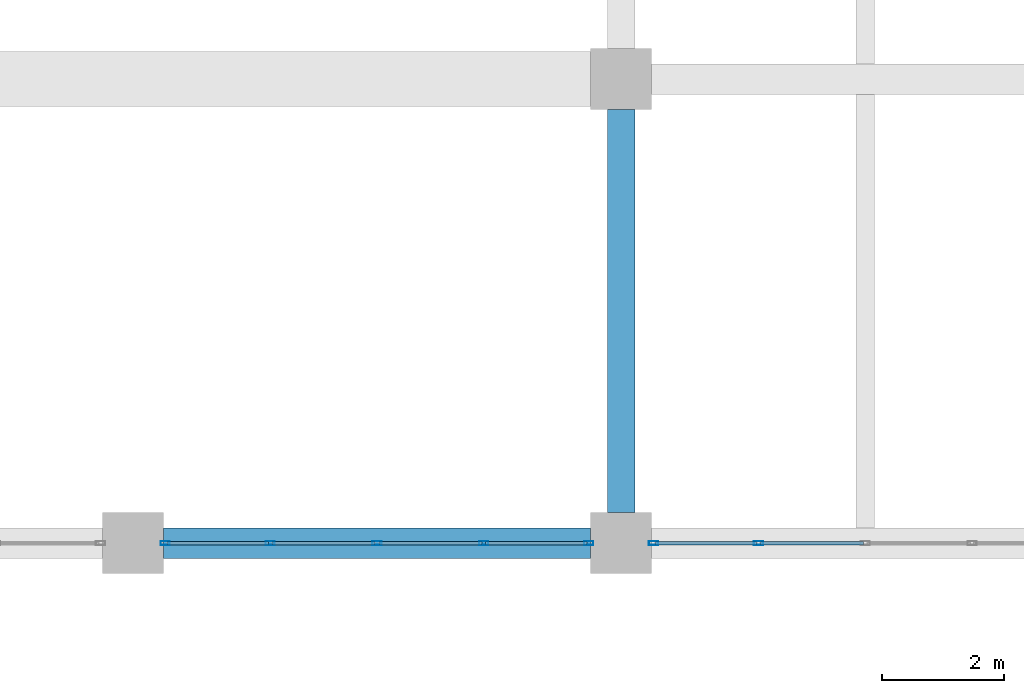
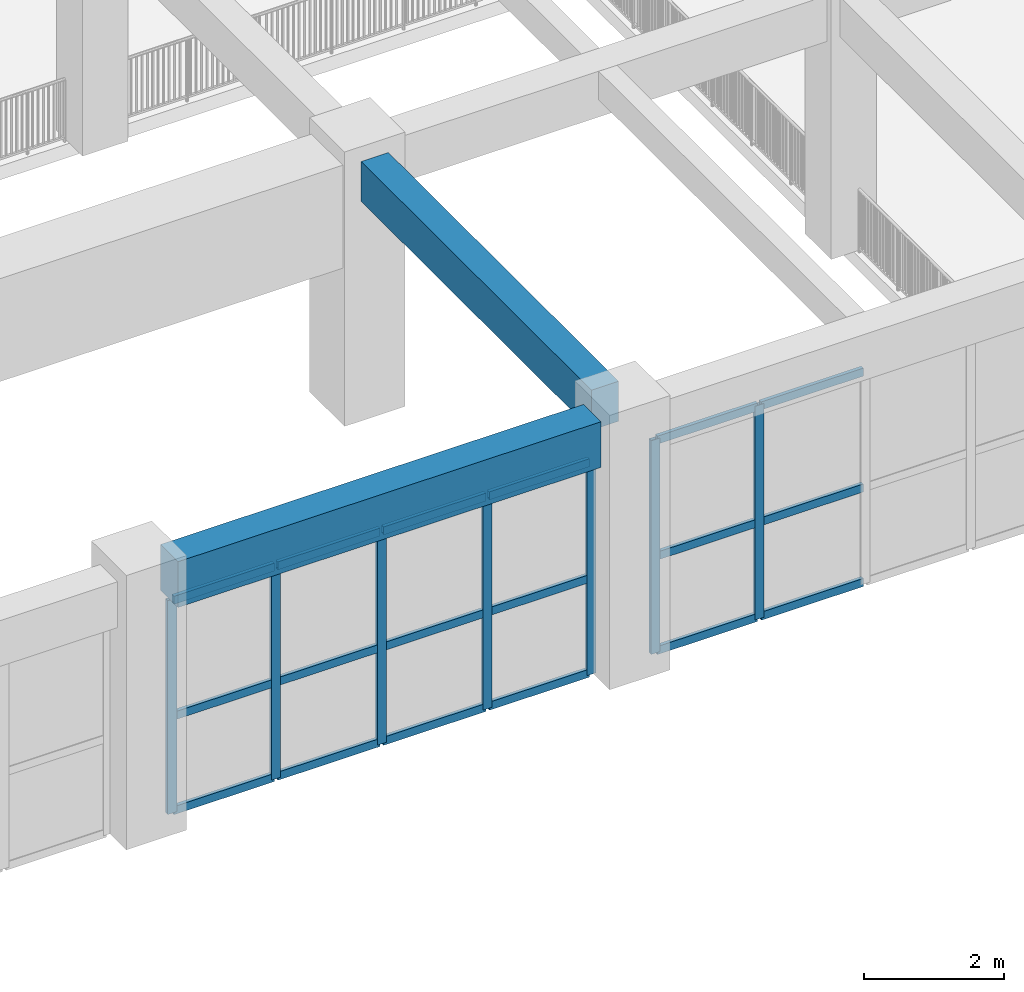
# One storey, part 22 of 101: 25 members, 2 beams, 2 elements without a shape of their own.
"""IFC4 building model written with IfcOpenShell, lengths in metres."""

from ifc_helpers import new_model, si_unit, direction, frame, origin, origin_2d, place, context, subcontext, project, spatial, rectangle, hollow_rectangle, extrude, material, material_profile, profile_set, type_object, element, aggregate, save


model = new_model("IFC4")

# Units and contexts
model_context = context("Model", 3, precision=1e-05, world=origin(), true_north=direction((0.0, 1.0)))
body_context = subcontext(model_context, "Body", "Model", "MODEL_VIEW")
ifc_project = project(units=[si_unit("LENGTHUNIT", "METRE"), si_unit("AREAUNIT", "SQUARE_METRE"), si_unit("VOLUMEUNIT", "CUBIC_METRE"), si_unit("PLANEANGLEUNIT", "RADIAN"), si_unit("MASSUNIT", "GRAM", prefix="KILO")], contexts=[model_context])

# Site, building, storey
site_placement = place(None, origin())
site = spatial("IfcSite", under=ifc_project, at=site_placement, CompositionType="ELEMENT")
building_placement = place(site_placement, origin())
building = spatial("IfcBuilding", under=site, at=building_placement, Name="Zantavel Square City Hall", CompositionType="ELEMENT")
storey_placement = place(building_placement, frame((0.0, 0.0, 5.39990234375)))
storey = spatial("IfcBuildingStorey", under=building, at=storey_placement, Name="L02", CompositionType="ELEMENT", Elevation=5.39990234375)

# Curtain wall, members
ifc_material_1 = material(Name="Anodised aluminium 6063-T6", Category="aluminium")
curtain_wall_type = type_object("IfcCurtainWallType", Name="Curtain Wall TRV1 7000x3740", PredefinedType="USERDEFINED", material=ifc_material_1)
curtain_wall_1_placement = place(storey_placement, origin())
curtain_wall_1 = element("IfcCurtainWall", 1, at=curtain_wall_1_placement, inside=storey, type_object=curtain_wall_type, Name="L02 Glazed Curtain Wall CW-L02-046", ObjectType="GLAZED CURTAIN WALL", PredefinedType="USERDEFINED")
ifc_material_profile_1 = material_profile(ifc_material_1, hollow_rectangle(XDim=0.06494140625, YDim=0.14990234375, WallThickness=0.00390625, at=origin_2d()), Name="ALU 65x150x4")
ifc_profile_set_1 = profile_set([ifc_material_profile_1], Name="Anodised aluminium 6063-T6")
member_type_1 = type_object("IfcMemberType", Name="CW Mullion ALU 65x150x4", PredefinedType="MULLION", material=ifc_profile_set_1)
member_1_placement = place(storey_placement, frame((90.25, 30.39990234375, 0.0), z_axis=(0.0, 0.0, 1.0), x_axis=(0.0, -1.0, 0.0)))
member_1 = element("IfcMember", 2, at=member_1_placement, type_object=member_type_1, Name="CW-046 mullion 4", PredefinedType="MULLION", context=body_context, shape_type="SweptSolid", body=[
    extrude(hollow_rectangle(XDim=0.06494140625, YDim=0.14990234375, WallThickness=0.00390625, at=origin_2d()), origin(), (0.0, 0.0, 1.0), 3.739990234375),
])
member_2_placement = place(storey_placement, frame((88.530029296875, 30.39990234375, 0.0), z_axis=(0.0, 0.0, 1.0), x_axis=(0.0, -1.0, 0.0)))
member_2 = element("IfcMember", 3, at=member_2_placement, type_object=member_type_1, Name="CW-046 mullion 5", PredefinedType="MULLION", context=body_context, shape_type="SweptSolid", body=[
    extrude(hollow_rectangle(XDim=0.06494140625, YDim=0.14990234375, WallThickness=0.00390625, at=origin_2d()), origin(), (0.0, 0.0, 1.0), 3.739990234375),
])

curtain_wall_2_placement = place(storey_placement, origin())
curtain_wall_2 = element("IfcCurtainWall", 4, at=curtain_wall_2_placement, inside=storey, type_object=curtain_wall_type, Name="L02 Glazed Curtain Wall CW-L02-047", ObjectType="GLAZED CURTAIN WALL", PredefinedType="USERDEFINED")
member_3_placement = place(storey_placement, frame((87.469970703125, 30.39990234375, 0.0), z_axis=(0.0, 0.0, 1.0), x_axis=(0.0, -1.0, 0.0)))
member_3 = element("IfcMember", 5, at=member_3_placement, type_object=member_type_1, Name="CW-047 mullion 1", PredefinedType="MULLION", context=body_context, shape_type="SweptSolid", body=[
    extrude(hollow_rectangle(XDim=0.06494140625, YDim=0.14990234375, WallThickness=0.00390625, at=origin_2d()), origin(), (0.0, 0.0, 1.0), 3.739990234375),
])
member_4_placement = place(storey_placement, frame((85.75, 30.39990234375, 0.0), z_axis=(0.0, 0.0, 1.0), x_axis=(0.0, -1.0, 0.0)))
member_4 = element("IfcMember", 6, at=member_4_placement, type_object=member_type_1, Name="CW-047 mullion 2", PredefinedType="MULLION", context=body_context, shape_type="SweptSolid", body=[
    extrude(hollow_rectangle(XDim=0.06494140625, YDim=0.14990234375, WallThickness=0.00390625, at=origin_2d()), origin(), (0.0, 0.0, 1.0), 3.739990234375),
])
member_5_placement = place(storey_placement, frame((84.0, 30.39990234375, 0.0), z_axis=(0.0, 0.0, 1.0), x_axis=(0.0, -1.0, 0.0)))
member_5 = element("IfcMember", 7, at=member_5_placement, type_object=member_type_1, Name="CW-047 mullion 3", PredefinedType="MULLION", context=body_context, shape_type="SweptSolid", body=[
    extrude(hollow_rectangle(XDim=0.06494140625, YDim=0.14990234375, WallThickness=0.00390625, at=origin_2d()), origin(), (0.0, 0.0, 1.0), 3.739990234375),
])
member_6_placement = place(storey_placement, frame((82.25, 30.39990234375, 0.0), z_axis=(0.0, 0.0, 1.0), x_axis=(0.0, -1.0, 0.0)))
member_6 = element("IfcMember", 8, at=member_6_placement, type_object=member_type_1, Name="CW-047 mullion 4", PredefinedType="MULLION", context=body_context, shape_type="SweptSolid", body=[
    extrude(hollow_rectangle(XDim=0.06494140625, YDim=0.14990234375, WallThickness=0.00390625, at=origin_2d()), origin(), (0.0, 0.0, 1.0), 3.739990234375),
])
member_7_placement = place(storey_placement, frame((80.530029296875, 30.39990234375, 0.0), z_axis=(0.0, 0.0, 1.0), x_axis=(0.0, -1.0, 0.0)))
member_7 = element("IfcMember", 9, at=member_7_placement, type_object=member_type_1, Name="CW-047 mullion 5", PredefinedType="MULLION", context=body_context, shape_type="SweptSolid", body=[
    extrude(hollow_rectangle(XDim=0.06494140625, YDim=0.14990234375, WallThickness=0.00390625, at=origin_2d()), origin(), (0.0, 0.0, 1.0), 3.739990234375),
])

# Member
ifc_material_profile_2 = material_profile(ifc_material_1, hollow_rectangle(XDim=0.06005859375, YDim=0.139892578125, WallThickness=0.00390625, at=origin_2d()), Name="ALU 60x140x4")
ifc_profile_set_2 = profile_set([ifc_material_profile_2], Name="Anodised aluminium 6063-T6")
member_type_2 = type_object("IfcMemberType", Name="CW Transom ALU 60x140x4", PredefinedType="USERDEFINED", material=ifc_profile_set_2)
member_8_placement = place(storey_placement, frame((91.969970703125, 30.39990234375, 0.030029296875), z_axis=(-1.0, 0.0, 0.0), x_axis=(0.0, -1.0, 0.0)))
member_8 = element("IfcMember", 10, at=member_8_placement, type_object=member_type_2, Name="CW-046 transom 3.1", ObjectType="TRANSOM", PredefinedType="USERDEFINED", context=body_context, shape_type="SweptSolid", body=[
    extrude(hollow_rectangle(XDim=0.06005859375, YDim=0.139892578125, WallThickness=0.00390625, at=origin_2d()), origin(), (0.0, 0.0, 1.0), 1.68994140625),
])

member_9_placement = place(storey_placement, frame((91.969970703125, 30.39990234375, 1.68310546875), z_axis=(-1.0, 0.0, 0.0), x_axis=(0.0, -1.0, 0.0)))
member_9 = element("IfcMember", 11, at=member_9_placement, type_object=member_type_2, Name="CW-046 transom 3.2", ObjectType="TRANSOM", PredefinedType="USERDEFINED", context=body_context, shape_type="SweptSolid", body=[
    extrude(hollow_rectangle(XDim=0.06005859375, YDim=0.139892578125, WallThickness=0.00390625, at=origin_2d()), origin(), (0.0, 0.0, 1.0), 1.68994140625),
])

member_10_placement = place(storey_placement, frame((91.969970703125, 30.39990234375, 3.710205078125), z_axis=(-1.0, 0.0, 0.0), x_axis=(0.0, -1.0, 0.0)))
member_10 = element("IfcMember", 12, at=member_10_placement, type_object=member_type_2, Name="CW-046 transom 3.3", ObjectType="TRANSOM", PredefinedType="USERDEFINED", context=body_context, shape_type="SweptSolid", body=[
    extrude(hollow_rectangle(XDim=0.06005859375, YDim=0.139892578125, WallThickness=0.00390625, at=origin_2d()), origin(), (0.0, 0.0, 1.0), 1.68994140625),
])

member_11_placement = place(storey_placement, frame((90.219970703125, 30.39990234375, 0.030029296875), z_axis=(-1.0, 0.0, 0.0), x_axis=(0.0, -1.0, 0.0)))
member_11 = element("IfcMember", 13, at=member_11_placement, type_object=member_type_2, Name="CW-046 transom 4.1", ObjectType="TRANSOM", PredefinedType="USERDEFINED", context=body_context, shape_type="SweptSolid", body=[
    extrude(hollow_rectangle(XDim=0.06005859375, YDim=0.139892578125, WallThickness=0.00390625, at=origin_2d()), origin(), (0.0, 0.0, 1.0), 1.659912109375),
])

member_12_placement = place(storey_placement, frame((90.219970703125, 30.39990234375, 1.68310546875), z_axis=(-1.0, 0.0, 0.0), x_axis=(0.0, -1.0, 0.0)))
member_12 = element("IfcMember", 14, at=member_12_placement, type_object=member_type_2, Name="CW-046 transom 4.2", ObjectType="TRANSOM", PredefinedType="USERDEFINED", context=body_context, shape_type="SweptSolid", body=[
    extrude(hollow_rectangle(XDim=0.06005859375, YDim=0.139892578125, WallThickness=0.00390625, at=origin_2d()), origin(), (0.0, 0.0, 1.0), 1.659912109375),
])

member_13_placement = place(storey_placement, frame((90.219970703125, 30.39990234375, 3.710205078125), z_axis=(-1.0, 0.0, 0.0), x_axis=(0.0, -1.0, 0.0)))
member_13 = element("IfcMember", 15, at=member_13_placement, type_object=member_type_2, Name="CW-046 transom 4.3", ObjectType="TRANSOM", PredefinedType="USERDEFINED", context=body_context, shape_type="SweptSolid", body=[
    extrude(hollow_rectangle(XDim=0.06005859375, YDim=0.139892578125, WallThickness=0.00390625, at=origin_2d()), origin(), (0.0, 0.0, 1.0), 1.659912109375),
])

aggregate(curtain_wall_1, [member_1, member_2, member_8, member_9, member_10, member_11, member_12, member_13])

member_14_placement = place(storey_placement, frame((87.43994140625, 30.39990234375, 0.030029296875), z_axis=(-1.0, 0.0, 0.0), x_axis=(0.0, -1.0, 0.0)))
member_14 = element("IfcMember", 16, at=member_14_placement, type_object=member_type_2, Name="CW-047 transom 1.1", ObjectType="TRANSOM", PredefinedType="USERDEFINED", context=body_context, shape_type="SweptSolid", body=[
    extrude(hollow_rectangle(XDim=0.06005859375, YDim=0.139892578125, WallThickness=0.00390625, at=origin_2d()), origin(), (0.0, 0.0, 1.0), 1.659912109375),
])

member_15_placement = place(storey_placement, frame((87.43994140625, 30.39990234375, 1.68310546875), z_axis=(-1.0, 0.0, 0.0), x_axis=(0.0, -1.0, 0.0)))
member_15 = element("IfcMember", 17, at=member_15_placement, type_object=member_type_2, Name="CW-047 transom 1.2", ObjectType="TRANSOM", PredefinedType="USERDEFINED", context=body_context, shape_type="SweptSolid", body=[
    extrude(hollow_rectangle(XDim=0.06005859375, YDim=0.139892578125, WallThickness=0.00390625, at=origin_2d()), origin(), (0.0, 0.0, 1.0), 1.659912109375),
])

member_16_placement = place(storey_placement, frame((87.43994140625, 30.39990234375, 3.710205078125), z_axis=(-1.0, 0.0, 0.0), x_axis=(0.0, -1.0, 0.0)))
member_16 = element("IfcMember", 18, at=member_16_placement, type_object=member_type_2, Name="CW-047 transom 1.3", ObjectType="TRANSOM", PredefinedType="USERDEFINED", context=body_context, shape_type="SweptSolid", body=[
    extrude(hollow_rectangle(XDim=0.06005859375, YDim=0.139892578125, WallThickness=0.00390625, at=origin_2d()), origin(), (0.0, 0.0, 1.0), 1.659912109375),
])

member_17_placement = place(storey_placement, frame((85.719970703125, 30.39990234375, 0.030029296875), z_axis=(-1.0, 0.0, 0.0), x_axis=(0.0, -1.0, 0.0)))
member_17 = element("IfcMember", 19, at=member_17_placement, type_object=member_type_2, Name="CW-047 transom 2.1", ObjectType="TRANSOM", PredefinedType="USERDEFINED", context=body_context, shape_type="SweptSolid", body=[
    extrude(hollow_rectangle(XDim=0.06005859375, YDim=0.139892578125, WallThickness=0.00390625, at=origin_2d()), origin(), (0.0, 0.0, 1.0), 1.68994140625),
])

member_18_placement = place(storey_placement, frame((85.719970703125, 30.39990234375, 1.68310546875), z_axis=(-1.0, 0.0, 0.0), x_axis=(0.0, -1.0, 0.0)))
member_18 = element("IfcMember", 20, at=member_18_placement, type_object=member_type_2, Name="CW-047 transom 2.2", ObjectType="TRANSOM", PredefinedType="USERDEFINED", context=body_context, shape_type="SweptSolid", body=[
    extrude(hollow_rectangle(XDim=0.06005859375, YDim=0.139892578125, WallThickness=0.00390625, at=origin_2d()), origin(), (0.0, 0.0, 1.0), 1.68994140625),
])

member_19_placement = place(storey_placement, frame((85.719970703125, 30.39990234375, 3.710205078125), z_axis=(-1.0, 0.0, 0.0), x_axis=(0.0, -1.0, 0.0)))
member_19 = element("IfcMember", 21, at=member_19_placement, type_object=member_type_2, Name="CW-047 transom 2.3", ObjectType="TRANSOM", PredefinedType="USERDEFINED", context=body_context, shape_type="SweptSolid", body=[
    extrude(hollow_rectangle(XDim=0.06005859375, YDim=0.139892578125, WallThickness=0.00390625, at=origin_2d()), origin(), (0.0, 0.0, 1.0), 1.68994140625),
])

member_20_placement = place(storey_placement, frame((83.969970703125, 30.39990234375, 0.030029296875), z_axis=(-1.0, 0.0, 0.0), x_axis=(0.0, -1.0, 0.0)))
member_20 = element("IfcMember", 22, at=member_20_placement, type_object=member_type_2, Name="CW-047 transom 3.1", ObjectType="TRANSOM", PredefinedType="USERDEFINED", context=body_context, shape_type="SweptSolid", body=[
    extrude(hollow_rectangle(XDim=0.06005859375, YDim=0.139892578125, WallThickness=0.00390625, at=origin_2d()), origin(), (0.0, 0.0, 1.0), 1.68994140625),
])

member_21_placement = place(storey_placement, frame((83.969970703125, 30.39990234375, 1.68310546875), z_axis=(-1.0, 0.0, 0.0), x_axis=(0.0, -1.0, 0.0)))
member_21 = element("IfcMember", 23, at=member_21_placement, type_object=member_type_2, Name="CW-047 transom 3.2", ObjectType="TRANSOM", PredefinedType="USERDEFINED", context=body_context, shape_type="SweptSolid", body=[
    extrude(hollow_rectangle(XDim=0.06005859375, YDim=0.139892578125, WallThickness=0.00390625, at=origin_2d()), origin(), (0.0, 0.0, 1.0), 1.68994140625),
])

member_22_placement = place(storey_placement, frame((83.969970703125, 30.39990234375, 3.710205078125), z_axis=(-1.0, 0.0, 0.0), x_axis=(0.0, -1.0, 0.0)))
member_22 = element("IfcMember", 24, at=member_22_placement, type_object=member_type_2, Name="CW-047 transom 3.3", ObjectType="TRANSOM", PredefinedType="USERDEFINED", context=body_context, shape_type="SweptSolid", body=[
    extrude(hollow_rectangle(XDim=0.06005859375, YDim=0.139892578125, WallThickness=0.00390625, at=origin_2d()), origin(), (0.0, 0.0, 1.0), 1.68994140625),
])

member_23_placement = place(storey_placement, frame((82.219970703125, 30.39990234375, 0.030029296875), z_axis=(-1.0, 0.0, 0.0), x_axis=(0.0, -1.0, 0.0)))
member_23 = element("IfcMember", 25, at=member_23_placement, type_object=member_type_2, Name="CW-047 transom 4.1", ObjectType="TRANSOM", PredefinedType="USERDEFINED", context=body_context, shape_type="SweptSolid", body=[
    extrude(hollow_rectangle(XDim=0.06005859375, YDim=0.139892578125, WallThickness=0.00390625, at=origin_2d()), origin(), (0.0, 0.0, 1.0), 1.659912109375),
])

member_24_placement = place(storey_placement, frame((82.219970703125, 30.39990234375, 1.68310546875), z_axis=(-1.0, 0.0, 0.0), x_axis=(0.0, -1.0, 0.0)))
member_24 = element("IfcMember", 26, at=member_24_placement, type_object=member_type_2, Name="CW-047 transom 4.2", ObjectType="TRANSOM", PredefinedType="USERDEFINED", context=body_context, shape_type="SweptSolid", body=[
    extrude(hollow_rectangle(XDim=0.06005859375, YDim=0.139892578125, WallThickness=0.00390625, at=origin_2d()), origin(), (0.0, 0.0, 1.0), 1.659912109375),
])

member_25_placement = place(storey_placement, frame((82.219970703125, 30.39990234375, 3.710205078125), z_axis=(-1.0, 0.0, 0.0), x_axis=(0.0, -1.0, 0.0)))
member_25 = element("IfcMember", 27, at=member_25_placement, type_object=member_type_2, Name="CW-047 transom 4.3", ObjectType="TRANSOM", PredefinedType="USERDEFINED", context=body_context, shape_type="SweptSolid", body=[
    extrude(hollow_rectangle(XDim=0.06005859375, YDim=0.139892578125, WallThickness=0.00390625, at=origin_2d()), origin(), (0.0, 0.0, 1.0), 1.659912109375),
])

aggregate(curtain_wall_2, [member_3, member_4, member_5, member_6, member_7, member_14, member_15, member_16, member_17, member_18, member_19, member_20, member_21, member_22, member_23, member_24, member_25])

# Beams
ifc_material_2 = material(Name="Concrete C35/45", Category="concrete")
ifc_material_profile_3 = material_profile(ifc_material_2, rectangle(XDim=0.449951171875, YDim=0.699951171875, at=origin_2d()), Name="RC 450x700")
ifc_profile_set_3 = profile_set([ifc_material_profile_3], Name="Concrete C35/45")
beam_type_1 = type_object("IfcBeamType", Name="Primary Girder RC 450x700 C35/45", PredefinedType="BEAM", material=ifc_profile_set_3)
beam_1_placement = place(storey_placement, frame((88.0, 30.89990234375, 4.190185546875), z_axis=(0.0, 1.0, 0.0), x_axis=(-1.0, 0.0, 0.0)))
element("IfcBeam", 28, at=beam_1_placement, inside=storey, type_object=beam_type_1, Name="L02 Beam BMY-L02-0880-0304", PredefinedType="BEAM", context=body_context, shape_type="SweptSolid", body=[
    extrude(rectangle(XDim=0.449951171875, YDim=0.699951171875, at=origin_2d()), origin(), (0.0, 0.0, 1.0), 6.60009765625),
])
ifc_material_profile_4 = material_profile(ifc_material_2, rectangle(XDim=0.5, YDim=0.800048828125, at=origin_2d()), Name="RC 500x800")
ifc_profile_set_4 = profile_set([ifc_material_profile_4], Name="Concrete C35/45")
beam_type_2 = type_object("IfcBeamType", Name="Primary Girder RC 500x800 C35/45", PredefinedType="BEAM", material=ifc_profile_set_4)
beam_2_placement = place(storey_placement, frame((80.5, 30.39990234375, 4.14013671875), z_axis=(1.0, 0.0, 0.0), x_axis=(0.0, 1.0, 0.0)))
element("IfcBeam", 29, at=beam_2_placement, inside=storey, type_object=beam_type_2, Name="L02 Girder BMX-L02-0800-0304", PredefinedType="BEAM", context=body_context, shape_type="SweptSolid", body=[
    extrude(rectangle(XDim=0.5, YDim=0.800048828125, at=origin_2d()), origin(), (0.0, 0.0, 1.0), 7.0),
])

save(model, "model.ifc")
